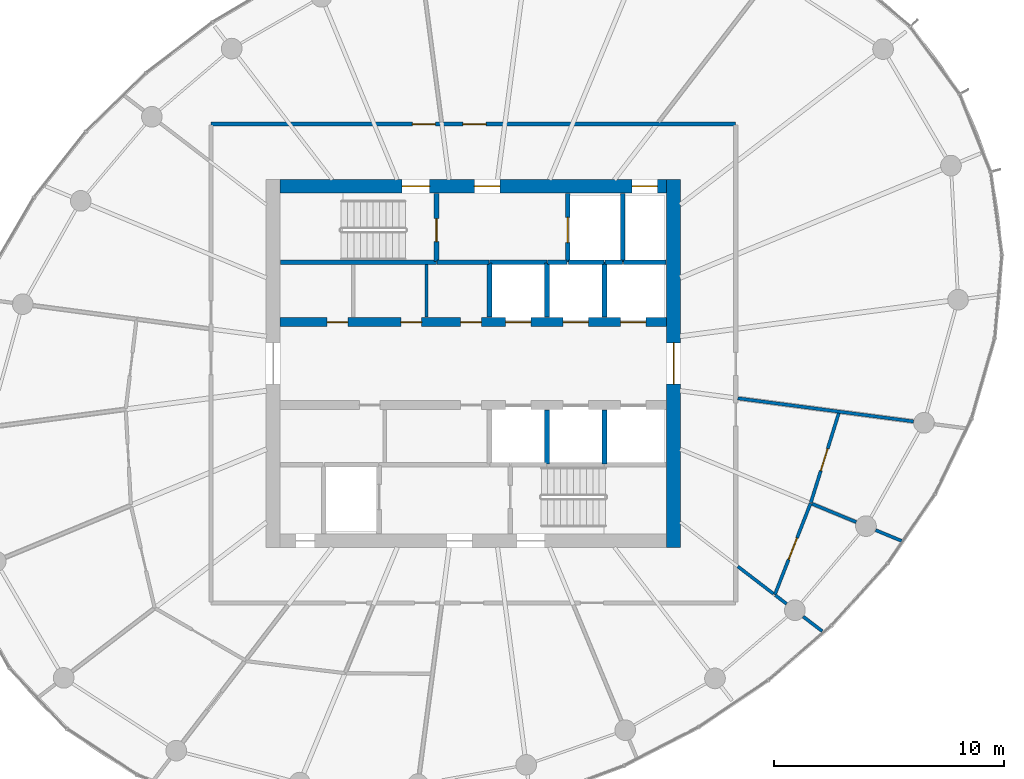
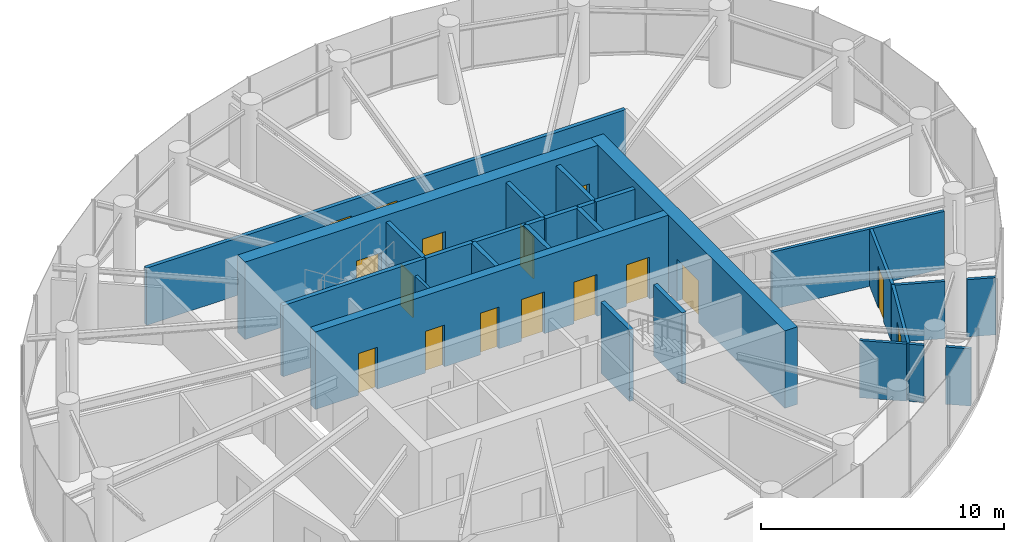
# One storey, part 10 of 13: 28 walls, 16 doors, 16 openings.
"""IFC4 building model written with IfcOpenShell, lengths in metres."""

from ifc_helpers import new_model, si_unit, direction, frame, frame_2d, origin, place, context, subcontext, project, spatial, rectangle, extrude, source, transform, mapped, material, layer, layer_set, type_object, element, fill, save


model = new_model("IFC4")

# Units and contexts
model_context = context("Model", 3, precision=1e-05, world=origin(), true_north=direction((0.0, 1.0)))
body_context = subcontext(model_context, "Body", "Model", "MODEL_VIEW")
ifc_project = project(units=[si_unit("LENGTHUNIT", "METRE"), si_unit("AREAUNIT", "SQUARE_METRE"), si_unit("VOLUMEUNIT", "CUBIC_METRE"), si_unit("PLANEANGLEUNIT", "RADIAN"), si_unit("MASSUNIT", "GRAM", prefix="KILO")], contexts=[model_context])

# Site, building, storey
site_placement = place(None, origin())
site = spatial("IfcSite", under=ifc_project, at=site_placement, CompositionType="ELEMENT")
building_placement = place(site_placement, origin())
building = spatial("IfcBuilding", under=site, at=building_placement, Name="Spindrift Exchange Tower", CompositionType="ELEMENT")
storey_placement = place(building_placement, frame((0.0, 0.0, 218.89990234375)))
storey = spatial("IfcBuildingStorey", under=building, at=storey_placement, Name="L53", CompositionType="ELEMENT", Elevation=218.89990234375)

# Wall, opening, door
ifc_material_1 = material(Name="Concrete 50 MPa", Category="concrete")
ifc_layer_1 = layer(ifc_material_1, 0.60009765625)
ifc_layer_set_1 = layer_set([ifc_layer_1], Name="RC Core Wall 600 Concrete 50 MPa")
wall_type_1 = type_object("IfcWallType", Name="RC Core Wall 600 Concrete 50 MPa", PredefinedType="SHEAR", material=ifc_layer_set_1)
wall_1_placement = place(storey_placement, frame((60.699951171875, 40.0, 0.0), z_axis=(0.0, 0.0, 1.0), x_axis=(0.0, 1.0, 0.0)))
wall_1 = element("IfcWall", 1, at=wall_1_placement, inside=storey, type_object=wall_type_1, Name="Core wall E L53", PredefinedType="SHEAR", context=body_context, shape_type="SweptSolid", body=[
    extrude(rectangle(XDim=16.0, YDim=0.60009765625, at=frame_2d((8.0, 0.0))), origin(), (0.0, 0.0, 1.0), 3.900146484375),
])
opening_1_placement = place(wall_1_placement, frame((7.10009765625, 0.0, 0.0)))
opening_1 = element("IfcOpeningElement", 2, at=opening_1_placement, cuts=wall_1, Name="Opening L53-D2", PredefinedType="OPENING", context=body_context, shape_type="SweptSolid", body=[
    extrude(rectangle(XDim=1.800048828125, YDim=2.10009765625, at=frame_2d((0.89990234375, 1.050048828125))), frame((0.0, 0.31005859375, 0.0), z_axis=(0.0, -1.0, 0.0), x_axis=(1.0, 0.0, 0.0)), (0.0, 0.0, 1.0), 0.6201171875),
])
ifc_material_2 = material(Name="Timber-core fire door", Category="wood")
door_type_1 = type_object("IfcDoorType", Name="DR-LOBBY-1800", OperationType="NOTDEFINED", PredefinedType="DOOR", material=ifc_material_2)
shared_shape_1 = source(origin(), body_context, "Body", "SweptSolid", [
    extrude(rectangle(XDim=1.800048828125, YDim=2.10009765625, at=frame_2d((0.89990234375, 1.050048828125))), frame((0.0, 0.02490234375, 0.0), z_axis=(0.0, -1.0, 0.0), x_axis=(1.0, 0.0, 0.0)), (0.0, 0.0, 1.0), 0.050048828125),
])
door_1_placement = place(opening_1_placement, origin())
door_1 = element("IfcDoor", 3, at=door_1_placement, inside=storey, type_object=door_type_1, Name="L53 Lobby door 2", OperationType="SINGLE_SWING_RIGHT", OverallHeight=2.10009765625, OverallWidth=1.800048828125, PredefinedType="DOOR", context=body_context, shape_type="MappedRepresentation", body=[
    mapped(shared_shape_1, transform((0.0, 0.0, 0.0), scale=1.0)),
])
fill(opening_1, door_1)

# Wall, openings, doors
wall_2_placement = place(storey_placement, frame((60.39990234375, 55.699951171875, 0.0), z_axis=(0.0, 0.0, 1.0), x_axis=(-1.0, 0.0, 0.0)))
wall_2 = element("IfcWall", 4, at=wall_2_placement, inside=storey, type_object=wall_type_1, Name="Core wall N L53", PredefinedType="SHEAR", context=body_context, shape_type="SweptSolid", body=[
    extrude(rectangle(XDim=16.7998046875, YDim=0.60009765625, at=frame_2d((8.39990234375, 0.0))), origin(), (0.0, 0.0, 1.0), 3.900146484375),
])
opening_2_placement = place(wall_2_placement, frame((0.39990234375, 0.0, 0.0)))
opening_2 = element("IfcOpeningElement", 5, at=opening_2_placement, cuts=wall_2, Name="Opening L53-D11", PredefinedType="OPENING", context=body_context, shape_type="SweptSolid", body=[
    extrude(rectangle(XDim=1.10009765625, YDim=2.10009765625, at=frame_2d((0.550048828125, 1.050048828125))), frame((0.0, 0.31005859375, 0.0), z_axis=(0.0, -1.0, 0.0), x_axis=(1.0, 0.0, 0.0)), (0.0, 0.0, 1.0), 0.6201171875),
])
opening_3_placement = place(wall_2_placement, frame((10.300048828125, 0.0, 0.0)))
opening_3 = element("IfcOpeningElement", 6, at=opening_3_placement, cuts=wall_2, Name="Opening L53-D12", PredefinedType="OPENING", context=body_context, shape_type="SweptSolid", body=[
    extrude(rectangle(XDim=1.199951171875, YDim=2.10009765625, at=frame_2d((0.60009765625, 1.050048828125))), frame((0.0, 0.31005859375, 0.0), z_axis=(0.0, -1.0, 0.0), x_axis=(1.0, 0.0, 0.0)), (0.0, 0.0, 1.0), 0.6201171875),
])
opening_4_placement = place(wall_2_placement, frame((7.25, 0.0, 0.0)))
opening_4 = element("IfcOpeningElement", 7, at=opening_4_placement, cuts=wall_2, Name="Opening L53-D14", PredefinedType="OPENING", context=body_context, shape_type="SweptSolid", body=[
    extrude(rectangle(XDim=1.10009765625, YDim=2.10009765625, at=frame_2d((0.550048828125, 1.050048828125))), frame((0.0, 0.31005859375, 0.0), z_axis=(0.0, -1.0, 0.0), x_axis=(1.0, 0.0, 0.0)), (0.0, 0.0, 1.0), 0.6201171875),
])
ifc_material_3 = material(Name="Stainless steel landing door", Category="steel")
door_type_2 = type_object("IfcDoorType", Name="DR-LANDING-1100-SL", OperationType="DOUBLE_DOOR_SLIDING", PredefinedType="USERDEFINED", material=ifc_material_3)
shared_shape_2 = source(origin(), body_context, "Body", "SweptSolid", [
    extrude(rectangle(XDim=1.10009765625, YDim=2.10009765625, at=frame_2d((0.550048828125, 1.050048828125))), frame((0.0, 0.02490234375, 0.0), z_axis=(0.0, -1.0, 0.0), x_axis=(1.0, 0.0, 0.0)), (0.0, 0.0, 1.0), 0.050048828125),
])
door_2_placement = place(opening_2_placement, origin())
door_2 = element("IfcDoor", 8, at=door_2_placement, inside=storey, type_object=door_type_2, Name="L53 Lift landing door 11", ObjectType="LANDING DOOR", OperationType="DOUBLE_DOOR_SLIDING", OverallHeight=2.10009765625, OverallWidth=1.10009765625, PredefinedType="USERDEFINED", context=body_context, shape_type="MappedRepresentation", body=[
    mapped(shared_shape_2, transform((0.0, 0.0, 0.0), scale=1.0)),
])
fill(opening_2, door_2)
ifc_material_4 = material(Name="Steel fire door", Category="steel")
door_type_3 = type_object("IfcDoorType", Name="DR-STAIR-1200", OperationType="NOTDEFINED", PredefinedType="DOOR", material=ifc_material_4)
shared_shape_3 = source(origin(), body_context, "Body", "SweptSolid", [
    extrude(rectangle(XDim=1.199951171875, YDim=2.10009765625, at=frame_2d((0.60009765625, 1.050048828125))), frame((0.0, 0.02490234375, 0.0), z_axis=(0.0, -1.0, 0.0), x_axis=(1.0, 0.0, 0.0)), (0.0, 0.0, 1.0), 0.050048828125),
])
door_3_placement = place(opening_3_placement, origin())
door_3 = element("IfcDoor", 9, at=door_3_placement, inside=storey, type_object=door_type_3, Name="L53 Stair door 12", OperationType="SINGLE_SWING_LEFT", OverallHeight=2.10009765625, OverallWidth=1.199951171875, PredefinedType="DOOR", context=body_context, shape_type="MappedRepresentation", body=[
    mapped(shared_shape_3, transform((0.0, 0.0, 0.0), scale=1.0)),
])
fill(opening_3, door_3)
door_type_4 = type_object("IfcDoorType", Name="DR-LOBBY-1100", OperationType="NOTDEFINED", PredefinedType="DOOR", material=ifc_material_2)
shared_shape_4 = source(origin(), body_context, "Body", "SweptSolid", [
    extrude(rectangle(XDim=1.10009765625, YDim=2.10009765625, at=frame_2d((0.550048828125, 1.050048828125))), frame((0.0, 0.02490234375, 0.0), z_axis=(0.0, -1.0, 0.0), x_axis=(1.0, 0.0, 0.0)), (0.0, 0.0, 1.0), 0.050048828125),
])
door_4_placement = place(opening_4_placement, origin())
door_4 = element("IfcDoor", 10, at=door_4_placement, inside=storey, type_object=door_type_4, Name="L53 Lobby door 14", OperationType="SINGLE_SWING_LEFT", OverallHeight=2.10009765625, OverallWidth=1.10009765625, PredefinedType="DOOR", context=body_context, shape_type="MappedRepresentation", body=[
    mapped(shared_shape_4, transform((0.0, 0.0, 0.0), scale=1.0)),
])
fill(opening_4, door_4)

ifc_layer_2 = layer(ifc_material_1, 0.39990234375)
ifc_layer_set_2 = layer_set([ifc_layer_2], Name="RC Spine Wall 400 Concrete 50 MPa")
wall_type_2 = type_object("IfcWallType", Name="RC Spine Wall 400 Concrete 50 MPa", PredefinedType="SHEAR", material=ifc_layer_set_2)
wall_3_placement = place(storey_placement, frame((43.60009765625, 49.800048828125, 0.0), z_axis=(0.0, 0.0, 1.0), x_axis=(1.0, 0.0, 0.0)))
wall_3 = element("IfcWall", 11, at=wall_3_placement, inside=storey, type_object=wall_type_2, Name="Core spine wall N L53", PredefinedType="SHEAR", context=body_context, shape_type="SweptSolid", body=[
    extrude(rectangle(XDim=16.7998046875, YDim=0.39990234375, at=frame_2d((8.39990234375, 0.0))), origin(), (0.0, 0.0, 1.0), 3.900146484375),
])
opening_5_placement = place(wall_3_placement, frame((9.800048828125, 0.0, 0.0)))
opening_5 = element("IfcOpeningElement", 12, at=opening_5_placement, cuts=wall_3, Name="Opening L53-D3", PredefinedType="OPENING", context=body_context, shape_type="SweptSolid", body=[
    extrude(rectangle(XDim=1.10009765625, YDim=2.10009765625, at=frame_2d((0.550048828125, 1.050048828125))), frame((0.0, 0.2099609375, 0.0), z_axis=(0.0, -1.0, 0.0), x_axis=(1.0, 0.0, 0.0)), (0.0, 0.0, 1.0), 0.419921875),
])
opening_6_placement = place(wall_3_placement, frame((12.300048828125, 0.0, 0.0)))
opening_6 = element("IfcOpeningElement", 13, at=opening_6_placement, cuts=wall_3, Name="Opening L53-D4", PredefinedType="OPENING", context=body_context, shape_type="SweptSolid", body=[
    extrude(rectangle(XDim=1.10009765625, YDim=2.10009765625, at=frame_2d((0.550048828125, 1.050048828125))), frame((0.0, 0.2099609375, 0.0), z_axis=(0.0, -1.0, 0.0), x_axis=(1.0, 0.0, 0.0)), (0.0, 0.0, 1.0), 0.419921875),
])
opening_7_placement = place(wall_3_placement, frame((14.800048828125, 0.0, 0.0)))
opening_7 = element("IfcOpeningElement", 14, at=opening_7_placement, cuts=wall_3, Name="Opening L53-D5", PredefinedType="OPENING", context=body_context, shape_type="SweptSolid", body=[
    extrude(rectangle(XDim=1.10009765625, YDim=2.10009765625, at=frame_2d((0.550048828125, 1.050048828125))), frame((0.0, 0.2099609375, 0.0), z_axis=(0.0, -1.0, 0.0), x_axis=(1.0, 0.0, 0.0)), (0.0, 0.0, 1.0), 0.419921875),
])
opening_8_placement = place(wall_3_placement, frame((2.050048828125, 0.0, 0.0)))
opening_8 = element("IfcOpeningElement", 15, at=opening_8_placement, cuts=wall_3, Name="Opening L53-D36", PredefinedType="OPENING", context=body_context, shape_type="SweptSolid", body=[
    extrude(rectangle(XDim=0.89990234375, YDim=2.10009765625, at=frame_2d((0.449951171875, 1.050048828125))), frame((0.0, 0.2099609375, 0.0), z_axis=(0.0, -1.0, 0.0), x_axis=(1.0, 0.0, 0.0)), (0.0, 0.0, 1.0), 0.419921875),
])
opening_9_placement = place(wall_3_placement, frame((5.25, 0.0, 0.0)))
opening_9 = element("IfcOpeningElement", 16, at=opening_9_placement, cuts=wall_3, Name="Opening L53-D37", PredefinedType="OPENING", context=body_context, shape_type="SweptSolid", body=[
    extrude(rectangle(XDim=0.89990234375, YDim=2.10009765625, at=frame_2d((0.449951171875, 1.050048828125))), frame((0.0, 0.2099609375, 0.0), z_axis=(0.0, -1.0, 0.0), x_axis=(1.0, 0.0, 0.0)), (0.0, 0.0, 1.0), 0.419921875),
])
opening_10_placement = place(wall_3_placement, frame((7.85009765625, 0.0, 0.0)))
opening_10 = element("IfcOpeningElement", 17, at=opening_10_placement, cuts=wall_3, Name="Opening L53-D38", PredefinedType="OPENING", context=body_context, shape_type="SweptSolid", body=[
    extrude(rectangle(XDim=0.89990234375, YDim=2.10009765625, at=frame_2d((0.449951171875, 1.050048828125))), frame((0.0, 0.2099609375, 0.0), z_axis=(0.0, -1.0, 0.0), x_axis=(1.0, 0.0, 0.0)), (0.0, 0.0, 1.0), 0.419921875),
])
door_5_placement = place(opening_5_placement, origin())
door_5 = element("IfcDoor", 18, at=door_5_placement, inside=storey, type_object=door_type_2, Name="L53 Lift landing door 3", ObjectType="LANDING DOOR", OperationType="DOUBLE_DOOR_SLIDING", OverallHeight=2.10009765625, OverallWidth=1.10009765625, PredefinedType="USERDEFINED", context=body_context, shape_type="MappedRepresentation", body=[
    mapped(shared_shape_2, transform((0.0, 0.0, 0.0), scale=1.0)),
])
fill(opening_5, door_5)
door_6_placement = place(opening_6_placement, origin())
door_6 = element("IfcDoor", 19, at=door_6_placement, inside=storey, type_object=door_type_2, Name="L53 Lift landing door 4", ObjectType="LANDING DOOR", OperationType="DOUBLE_DOOR_SLIDING", OverallHeight=2.10009765625, OverallWidth=1.10009765625, PredefinedType="USERDEFINED", context=body_context, shape_type="MappedRepresentation", body=[
    mapped(shared_shape_2, transform((0.0, 0.0, 0.0), scale=1.0)),
])
fill(opening_6, door_6)
door_7_placement = place(opening_7_placement, origin())
door_7 = element("IfcDoor", 20, at=door_7_placement, inside=storey, type_object=door_type_2, Name="L53 Lift landing door 5", ObjectType="LANDING DOOR", OperationType="DOUBLE_DOOR_SLIDING", OverallHeight=2.10009765625, OverallWidth=1.10009765625, PredefinedType="USERDEFINED", context=body_context, shape_type="MappedRepresentation", body=[
    mapped(shared_shape_2, transform((0.0, 0.0, 0.0), scale=1.0)),
])
fill(opening_7, door_7)
ifc_material_5 = material(Name="Steel access door", Category="steel")
door_type_5 = type_object("IfcDoorType", Name="DR-RISER-900", OperationType="NOTDEFINED", PredefinedType="DOOR", material=ifc_material_5)
shared_shape_5 = source(origin(), body_context, "Body", "SweptSolid", [
    extrude(rectangle(XDim=0.89990234375, YDim=2.10009765625, at=frame_2d((0.449951171875, 1.050048828125))), frame((0.0, 0.02490234375, 0.0), z_axis=(0.0, -1.0, 0.0), x_axis=(1.0, 0.0, 0.0)), (0.0, 0.0, 1.0), 0.050048828125),
])
door_8_placement = place(opening_8_placement, origin())
door_8 = element("IfcDoor", 21, at=door_8_placement, inside=storey, type_object=door_type_5, Name="L53 Riser door 36", OperationType="SINGLE_SWING_LEFT", OverallHeight=2.10009765625, OverallWidth=0.89990234375, PredefinedType="DOOR", context=body_context, shape_type="MappedRepresentation", body=[
    mapped(shared_shape_5, transform((0.0, 0.0, 0.0), scale=1.0)),
])
fill(opening_8, door_8)
door_9_placement = place(opening_9_placement, origin())
door_9 = element("IfcDoor", 22, at=door_9_placement, inside=storey, type_object=door_type_5, Name="L53 Riser door 37", OperationType="SINGLE_SWING_RIGHT", OverallHeight=2.10009765625, OverallWidth=0.89990234375, PredefinedType="DOOR", context=body_context, shape_type="MappedRepresentation", body=[
    mapped(shared_shape_5, transform((0.0, 0.0, 0.0), scale=1.0)),
])
fill(opening_9, door_9)
door_10_placement = place(opening_10_placement, origin())
door_10 = element("IfcDoor", 23, at=door_10_placement, inside=storey, type_object=door_type_5, Name="L53 Riser door 38", OperationType="SINGLE_SWING_LEFT", OverallHeight=2.10009765625, OverallWidth=0.89990234375, PredefinedType="DOOR", context=body_context, shape_type="MappedRepresentation", body=[
    mapped(shared_shape_5, transform((0.0, 0.0, 0.0), scale=1.0)),
])
fill(opening_10, door_10)

ifc_material_6 = material(Name="Fire-rated plasterboard partition", Category="gypsum")
ifc_layer_3 = layer(ifc_material_6, 0.179931640625)
ifc_layer_set_3 = layer_set([ifc_layer_3], Name="W-CORR-180")
wall_type_3 = type_object("IfcWallType", Name="W-CORR-180", PredefinedType="PARTITIONING", material=ifc_layer_set_3)
wall_4_placement = place(storey_placement, frame((40.60009765625, 58.39990234375, 0.0), z_axis=(0.0, 0.0, 1.0), x_axis=(1.0, 0.0, 0.0)))
wall_4 = element("IfcWall", 24, at=wall_4_placement, inside=storey, type_object=wall_type_3, Name="L53 Partition wall 27", PredefinedType="PARTITIONING", context=body_context, shape_type="SweptSolid", body=[
    extrude(rectangle(XDim=22.7998046875, YDim=0.179931640625, at=frame_2d((11.39990234375, 0.0))), origin(), (0.0, 0.0, 1.0), 2.880126953125),
])
opening_11_placement = place(wall_4_placement, frame((10.949951171875, 0.0, 0.0)))
opening_11 = element("IfcOpeningElement", 25, at=opening_11_placement, cuts=wall_4, Name="Opening L53-D28", PredefinedType="OPENING", context=body_context, shape_type="SweptSolid", body=[
    extrude(rectangle(XDim=1.0, YDim=2.10009765625, at=frame_2d((0.5, 1.050048828125))), frame((0.0, 0.099853515625, 0.0), z_axis=(0.0, -1.0, 0.0), x_axis=(1.0, 0.0, 0.0)), (0.0, 0.0, 1.0), 0.199951171875),
])
opening_12_placement = place(wall_4_placement, frame((8.75, 0.0, 0.0)))
opening_12 = element("IfcOpeningElement", 26, at=opening_12_placement, cuts=wall_4, Name="Opening L53-D29", PredefinedType="OPENING", context=body_context, shape_type="SweptSolid", body=[
    extrude(rectangle(XDim=1.0, YDim=2.10009765625, at=frame_2d((0.5, 1.050048828125))), frame((0.0, 0.099853515625, 0.0), z_axis=(0.0, -1.0, 0.0), x_axis=(1.0, 0.0, 0.0)), (0.0, 0.0, 1.0), 0.199951171875),
])
door_type_6 = type_object("IfcDoorType", Name="DR-ROOM-1000", OperationType="NOTDEFINED", PredefinedType="DOOR", material=ifc_material_2)
shared_shape_6 = source(origin(), body_context, "Body", "SweptSolid", [
    extrude(rectangle(XDim=1.0, YDim=2.10009765625, at=frame_2d((0.5, 1.050048828125))), frame((0.0, 0.02490234375, 0.0), z_axis=(0.0, -1.0, 0.0), x_axis=(1.0, 0.0, 0.0)), (0.0, 0.0, 1.0), 0.050048828125),
])
door_11_placement = place(opening_11_placement, origin())
door_11 = element("IfcDoor", 27, at=door_11_placement, inside=storey, type_object=door_type_6, Name="L53 Door 28", OperationType="SINGLE_SWING_LEFT", OverallHeight=2.10009765625, OverallWidth=1.0, PredefinedType="DOOR", context=body_context, shape_type="MappedRepresentation", body=[
    mapped(shared_shape_6, transform((0.0, 0.0, 0.0), scale=1.0)),
])
fill(opening_11, door_11)
door_12_placement = place(opening_12_placement, origin())
door_12 = element("IfcDoor", 28, at=door_12_placement, inside=storey, type_object=door_type_6, Name="L53 Door 29", OperationType="SINGLE_SWING_RIGHT", OverallHeight=2.10009765625, OverallWidth=1.0, PredefinedType="DOOR", context=body_context, shape_type="MappedRepresentation", body=[
    mapped(shared_shape_6, transform((0.0, 0.0, 0.0), scale=1.0)),
])
fill(opening_12, door_12)

# Wall
ifc_layer_4 = layer(ifc_material_6, 0.139892578125)
ifc_layer_set_4 = layer_set([ifc_layer_4], Name="W-PART-140")
wall_type_4 = type_object("IfcWallType", Name="W-PART-140", PredefinedType="PARTITIONING", material=ifc_layer_set_4)
wall_5_placement = place(storey_placement, frame((71.13037109375, 45.4814453125, 0.0), z_axis=(0.0, 0.0, 1.0), x_axis=(-0.991445127496, 0.130524170803, 0.0)))
element("IfcWall", 29, at=wall_5_placement, inside=storey, type_object=wall_type_4, Name="L53 Partition wall 31", PredefinedType="PARTITIONING", context=body_context, shape_type="SweptSolid", body=[
    extrude(rectangle(XDim=7.706298828125, YDim=0.139892578125, at=frame_2d((3.85302734375, 0.0))), origin(), (0.0, 0.0, 1.0), 2.880126953125),
])

# Wall, opening, door
wall_6_placement = place(storey_placement, frame((66.655517578125, 41.929443359375, 0.0), z_axis=(0.0, 0.0, 1.0), x_axis=(-0.364603977748, -0.931162681496, 0.0)))
wall_6 = element("IfcWall", 30, at=wall_6_placement, inside=storey, type_object=wall_type_4, Name="L53 Partition wall 44", PredefinedType="PARTITIONING", context=body_context, shape_type="SweptSolid", body=[
    extrude(rectangle(XDim=4.2734375, YDim=0.139892578125, at=frame_2d((2.13671875, 0.0))), origin(), (0.0, 0.0, 1.0), 2.880126953125),
])
opening_13_placement = place(wall_6_placement, frame((1.62353515625, 0.0, 0.0)))
opening_13 = element("IfcOpeningElement", 31, at=opening_13_placement, cuts=wall_6, Name="Opening L53-D25", PredefinedType="OPENING", context=body_context, shape_type="SweptSolid", body=[
    extrude(rectangle(XDim=1.0, YDim=2.10009765625, at=frame_2d((0.5, 1.050048828125))), frame((0.0, 0.079833984375, 0.0), z_axis=(0.0, -1.0, 0.0), x_axis=(1.0, 0.0, 0.0)), (0.0, 0.0, 1.0), 0.159912109375),
])
door_13_placement = place(opening_13_placement, origin())
door_13 = element("IfcDoor", 32, at=door_13_placement, inside=storey, type_object=door_type_6, Name="L53 Door 25", OperationType="SINGLE_SWING_RIGHT", OverallHeight=2.10009765625, OverallWidth=1.0, PredefinedType="DOOR", context=body_context, shape_type="MappedRepresentation", body=[
    mapped(shared_shape_6, transform((0.0, 0.0, 0.0), scale=1.0)),
])
fill(opening_13, door_13)

wall_7_placement = place(storey_placement, frame((67.876953125, 45.839111328125, 0.0), z_axis=(0.0, 0.0, 1.0), x_axis=(-0.298230548624, -0.954493865809, 0.0)))
wall_7 = element("IfcWall", 33, at=wall_7_placement, inside=storey, type_object=wall_type_4, Name="L53 Partition wall 46", PredefinedType="PARTITIONING", context=body_context, shape_type="SweptSolid", body=[
    extrude(rectangle(XDim=4.066162109375, YDim=0.139892578125, at=frame_2d((2.033203125, 0.0))), origin(), (0.0, 0.0, 1.0), 2.880126953125),
])
opening_14_placement = place(wall_7_placement, frame((1.615966796875, 0.0, 0.0)))
opening_14 = element("IfcOpeningElement", 34, at=opening_14_placement, cuts=wall_7, Name="Opening L53-D26", PredefinedType="OPENING", context=body_context, shape_type="SweptSolid", body=[
    extrude(rectangle(XDim=1.0, YDim=2.10009765625, at=frame_2d((0.5, 1.050048828125))), frame((0.0, 0.079833984375, 0.0), z_axis=(0.0, -1.0, 0.0), x_axis=(1.0, 0.0, 0.0)), (0.0, 0.0, 1.0), 0.159912109375),
])
door_14_placement = place(opening_14_placement, origin())
door_14 = element("IfcDoor", 35, at=door_14_placement, inside=storey, type_object=door_type_6, Name="L53 Door 26", OperationType="SINGLE_SWING_LEFT", OverallHeight=2.10009765625, OverallWidth=1.0, PredefinedType="DOOR", context=body_context, shape_type="MappedRepresentation", body=[
    mapped(shared_shape_6, transform((0.0, 0.0, 0.0), scale=1.0)),
])
fill(opening_14, door_14)

# Walls
wall_8_placement = place(storey_placement, frame((65.12109375, 37.931884765625, 0.0), z_axis=(0.0, 0.0, 1.0), x_axis=(0.793300433337, -0.608830372491, 0.0)))
element("IfcWall", 36, at=wall_8_placement, inside=storey, type_object=wall_type_4, Name="L53 Partition wall 51", PredefinedType="PARTITIONING", context=body_context, shape_type="SweptSolid", body=[
    extrude(rectangle(XDim=0.61669921875, YDim=0.139892578125, at=frame_2d((0.308349609375, 0.0))), origin(), (0.0, 0.0, 1.0), 2.880126953125),
])
wall_9_placement = place(storey_placement, frame((63.489990234375, 39.183349609375, 0.0), z_axis=(0.0, 0.0, 1.0), x_axis=(0.793366886625, -0.608743774676, 0.0)))
element("IfcWall", 37, at=wall_9_placement, inside=storey, type_object=wall_type_4, Name="L53 Partition wall 52", PredefinedType="PARTITIONING", context=body_context, shape_type="SweptSolid", body=[
    extrude(rectangle(XDim=1.953125, YDim=0.139892578125, at=frame_2d((0.9765625, 0.0))), origin(), (0.0, 0.0, 1.0), 2.880126953125),
])
wall_10_placement = place(storey_placement, frame((49.969970703125, 50.010009765625, 0.0), z_axis=(0.0, 0.0, 1.0), x_axis=(0.0, 1.0, 0.0)))
element("IfcWall", 38, at=wall_10_placement, inside=storey, type_object=wall_type_4, Name="L53 Partition wall 56", PredefinedType="PARTITIONING", context=body_context, shape_type="SweptSolid", body=[
    extrude(rectangle(XDim=2.2900390625, YDim=0.139892578125, at=frame_2d((1.14501953125, 0.0))), origin(), (0.0, 0.0, 1.0), 2.880126953125),
])
wall_11_placement = place(storey_placement, frame((66.72021484375, 41.902587890625, 0.0), z_axis=(0.0, 0.0, 1.0), x_axis=(0.923892183292, -0.38265288925, 0.0)))
element("IfcWall", 39, at=wall_11_placement, inside=storey, type_object=wall_type_4, Name="L53 Partition wall 57", PredefinedType="PARTITIONING", context=body_context, shape_type="SweptSolid", body=[
    extrude(rectangle(XDim=2.07666015625, YDim=0.139892578125, at=frame_2d((1.038330078125, 0.0))), origin(), (0.0, 0.0, 1.0), 2.880126953125),
])
wall_12_placement = place(storey_placement, frame((69.479736328125, 40.759521484375, 0.0), z_axis=(0.0, 0.0, 1.0), x_axis=(0.923929420808, -0.382562969151, 0.0)))
element("IfcWall", 40, at=wall_12_placement, inside=storey, type_object=wall_type_4, Name="L53 Partition wall 61", PredefinedType="PARTITIONING", context=body_context, shape_type="SweptSolid", body=[
    extrude(rectangle(XDim=1.225341796875, YDim=0.139892578125, at=frame_2d((0.61279296875, 0.0))), origin(), (0.0, 0.0, 1.0), 2.880126953125),
])
wall_13_placement = place(storey_placement, frame((67.16015625, 36.3671875, 0.0), z_axis=(0.0, 0.0, 1.0), x_axis=(-0.793388088797, 0.608716141198, 0.0)))
element("IfcWall", 41, at=wall_13_placement, inside=storey, type_object=wall_type_4, Name="L53 Partition wall 65", PredefinedType="PARTITIONING", context=body_context, shape_type="SweptSolid", body=[
    extrude(rectangle(XDim=1.04443359375, YDim=0.139892578125, at=frame_2d((0.522216796875, 0.0))), origin(), (0.0, 0.0, 1.0), 2.880126953125),
])

# Wall, opening, door
ifc_material_7 = material(Name="Concrete 40 MPa", Category="concrete")
ifc_layer_5 = layer(ifc_material_7, 0.199951171875)
ifc_layer_set_5 = layer_set([ifc_layer_5], Name="W-SHAFT-200")
wall_type_5 = type_object("IfcWallType", Name="W-SHAFT-200", PredefinedType="SOLIDWALL", material=ifc_layer_set_5)
wall_14_placement = place(storey_placement, frame((56.10009765625, 55.3798828125, 0.0), z_axis=(0.0, 0.0, 1.0), x_axis=(0.0, -1.0, 0.0)))
wall_14 = element("IfcWall", 42, at=wall_14_placement, inside=storey, type_object=wall_type_5, Name="L53 Shaft wall 7", PredefinedType="SOLIDWALL", context=body_context, shape_type="SweptSolid", body=[
    extrude(rectangle(XDim=2.97998046875, YDim=0.199951171875, at=frame_2d((1.489990234375, 0.0))), origin(), (0.0, 0.0, 1.0), 3.580078125),
])
opening_15_placement = place(wall_14_placement, frame((1.030029296875, 0.0, 0.0)))
opening_15 = element("IfcOpeningElement", 43, at=opening_15_placement, cuts=wall_14, Name="Opening L53-D9", PredefinedType="OPENING", context=body_context, shape_type="SweptSolid", body=[
    extrude(rectangle(XDim=1.10009765625, YDim=2.10009765625, at=frame_2d((0.550048828125, 1.050048828125))), frame((0.0, 0.10986328125, 0.0), z_axis=(0.0, -1.0, 0.0), x_axis=(1.0, 0.0, 0.0)), (0.0, 0.0, 1.0), 0.219970703125),
])
door_15_placement = place(opening_15_placement, origin())
door_15 = element("IfcDoor", 44, at=door_15_placement, inside=storey, type_object=door_type_2, Name="L53 Lift landing door 9", ObjectType="LANDING DOOR", OperationType="DOUBLE_DOOR_SLIDING", OverallHeight=2.10009765625, OverallWidth=1.10009765625, PredefinedType="USERDEFINED", context=body_context, shape_type="MappedRepresentation", body=[
    mapped(shared_shape_2, transform((0.0, 0.0, 0.0), scale=1.0)),
])
fill(opening_15, door_15)

# Walls
wall_15_placement = place(storey_placement, frame((58.5, 52.39990234375, 0.0), z_axis=(0.0, 0.0, 1.0), x_axis=(0.0, 1.0, 0.0)))
element("IfcWall", 45, at=wall_15_placement, inside=storey, type_object=wall_type_5, Name="L53 Shaft wall 8", PredefinedType="SOLIDWALL", context=body_context, shape_type="SweptSolid", body=[
    extrude(rectangle(XDim=2.97998046875, YDim=0.199951171875, at=frame_2d((1.489990234375, 0.0))), origin(), (0.0, 0.0, 1.0), 3.580078125),
])
wall_16_placement = place(storey_placement, frame((55.199951171875, 52.39990234375, 0.0), z_axis=(0.0, 0.0, 1.0), x_axis=(-1.0, 0.0, 0.0)))
element("IfcWall", 46, at=wall_16_placement, inside=storey, type_object=wall_type_5, Name="L53 Shaft wall 10", PredefinedType="SOLIDWALL", context=body_context, shape_type="SweptSolid", body=[
    extrude(rectangle(XDim=2.5, YDim=0.199951171875, at=frame_2d((1.25, 0.0))), origin(), (0.0, 0.0, 1.0), 3.580078125),
])
for number, where, z_axis, x_axis, name in (
    (47, (52.699951171875, 52.3701171875, 0.0), (0.0, 0.0, 1.0), (0.0, -1.0, 0.0), "L53 Shaft wall 14"),
    (48, (55.199951171875, 50.010009765625, 0.0), (0.0, 0.0, 1.0), (0.0, 1.0, 0.0), "L53 Shaft wall 16"),
):
    element("IfcWall", number, at=place(storey_placement, frame(where, z_axis=z_axis, x_axis=x_axis)), inside=storey, type_object=wall_type_5, Name=name, PredefinedType="SOLIDWALL", context=body_context, shape_type="SweptSolid", body=[
        extrude(rectangle(XDim=2.360107421875, YDim=0.199951171875, at=frame_2d((1.18017578125, 0.0))), origin(), (0.0, 0.0, 1.0), 3.580078125),
    ])
wall_17_placement = place(storey_placement, frame((57.699951171875, 50.010009765625, 0.0), z_axis=(0.0, 0.0, 1.0), x_axis=(0.0, 1.0, 0.0)))
element("IfcWall", 49, at=wall_17_placement, inside=storey, type_object=wall_type_5, Name="L53 Shaft wall 18", PredefinedType="SOLIDWALL", context=body_context, shape_type="SweptSolid", body=[
    extrude(rectangle(XDim=2.389892578125, YDim=0.199951171875, at=frame_2d((1.19482421875, 0.0))), origin(), (0.0, 0.0, 1.0), 3.580078125),
])
wall_18_placement = place(storey_placement, frame((60.3798828125, 52.39990234375, 0.0), z_axis=(0.0, 0.0, 1.0), x_axis=(-1.0, 0.0, 0.0)))
element("IfcWall", 50, at=wall_18_placement, inside=storey, type_object=wall_type_5, Name="L53 Shaft wall 21", PredefinedType="SOLIDWALL", context=body_context, shape_type="SweptSolid", body=[
    extrude(rectangle(XDim=1.849853515625, YDim=0.199951171875, at=frame_2d((0.9248046875, 0.0))), origin(), (0.0, 0.0, 1.0), 3.580078125),
])
wall_19_placement = place(storey_placement, frame((57.669921875, 52.39990234375, 0.0), z_axis=(0.0, 0.0, 1.0), x_axis=(-1.0, 0.0, 0.0)))
element("IfcWall", 51, at=wall_19_placement, inside=storey, type_object=wall_type_5, Name="L53 Shaft wall 23", PredefinedType="SOLIDWALL", context=body_context, shape_type="SweptSolid", body=[
    extrude(rectangle(XDim=1.5400390625, YDim=0.199951171875, at=frame_2d((0.77001953125, 0.0))), origin(), (0.0, 0.0, 1.0), 3.580078125),
])
wall_20_placement = place(storey_placement, frame((56.070068359375, 52.39990234375, 0.0), z_axis=(0.0, 0.0, 1.0), x_axis=(-1.0, 0.0, 0.0)))
element("IfcWall", 52, at=wall_20_placement, inside=storey, type_object=wall_type_5, Name="L53 Shaft wall 25", PredefinedType="SOLIDWALL", context=body_context, shape_type="SweptSolid", body=[
    extrude(rectangle(XDim=0.840087890625, YDim=0.199951171875, at=frame_2d((0.419921875, 0.0))), origin(), (0.0, 0.0, 1.0), 3.580078125),
])
wall_21_placement = place(storey_placement, frame((58.469970703125, 52.39990234375, 0.0), z_axis=(0.0, 0.0, 1.0), x_axis=(-1.0, 0.0, 0.0)))
element("IfcWall", 53, at=wall_21_placement, inside=storey, type_object=wall_type_5, Name="L53 Shaft wall 26", PredefinedType="SOLIDWALL", context=body_context, shape_type="SweptSolid", body=[
    extrude(rectangle(XDim=0.739990234375, YDim=0.199951171875, at=frame_2d((0.3701171875, 0.0))), origin(), (0.0, 0.0, 1.0), 3.580078125),
])
ifc_layer_6 = layer(ifc_material_7, 0.199951171875)
ifc_layer_set_6 = layer_set([ifc_layer_6], Name="W-SHAFT-200-LB")
wall_type_6 = type_object("IfcWallType", Name="W-SHAFT-200-LB", PredefinedType="SOLIDWALL", material=ifc_layer_set_6)
wall_22_placement = place(storey_placement, frame((43.6201171875, 52.39990234375, 0.0), z_axis=(0.0, 0.0, 1.0), x_axis=(1.0, 0.0, 0.0)))
element("IfcWall", 54, at=wall_22_placement, inside=storey, type_object=wall_type_6, Name="L53 Shaft wall 1", PredefinedType="SOLIDWALL", context=body_context, shape_type="SweptSolid", body=[
    extrude(rectangle(XDim=6.77978515625, YDim=0.199951171875, at=frame_2d((3.389892578125, 0.0))), origin(), (0.0, 0.0, 1.0), 3.580078125),
])

# Wall, opening, door
wall_23_placement = place(storey_placement, frame((50.39990234375, 52.429931640625, 0.0), z_axis=(0.0, 0.0, 1.0), x_axis=(0.0, 1.0, 0.0)))
wall_23 = element("IfcWall", 55, at=wall_23_placement, inside=storey, type_object=wall_type_6, Name="L53 Shaft wall 5", PredefinedType="SOLIDWALL", context=body_context, shape_type="SweptSolid", body=[
    extrude(rectangle(XDim=2.949951171875, YDim=0.199951171875, at=frame_2d((1.47509765625, 0.0))), origin(), (0.0, 0.0, 1.0), 3.580078125),
])
opening_16_placement = place(wall_23_placement, frame((0.8701171875, 0.0, 0.0)))
opening_16 = element("IfcOpeningElement", 56, at=opening_16_placement, cuts=wall_23, Name="Opening L53-D13", PredefinedType="OPENING", context=body_context, shape_type="SweptSolid", body=[
    extrude(rectangle(XDim=1.0, YDim=2.10009765625, at=frame_2d((0.5, 1.050048828125))), frame((0.0, 0.10986328125, 0.0), z_axis=(0.0, -1.0, 0.0), x_axis=(1.0, 0.0, 0.0)), (0.0, 0.0, 1.0), 0.219970703125),
])
door_type_7 = type_object("IfcDoorType", Name="DR-STAIR-1000", OperationType="NOTDEFINED", PredefinedType="DOOR", material=ifc_material_4)
shared_shape_7 = source(origin(), body_context, "Body", "SweptSolid", [
    extrude(rectangle(XDim=1.0, YDim=2.10009765625, at=frame_2d((0.5, 1.050048828125))), frame((0.0, 0.02490234375, 0.0), z_axis=(0.0, -1.0, 0.0), x_axis=(1.0, 0.0, 0.0)), (0.0, 0.0, 1.0), 0.050048828125),
])
door_16_placement = place(opening_16_placement, origin())
door_16 = element("IfcDoor", 57, at=door_16_placement, inside=storey, type_object=door_type_7, Name="L53 Stair door 13", OperationType="SINGLE_SWING_RIGHT", OverallHeight=2.10009765625, OverallWidth=1.0, PredefinedType="DOOR", context=body_context, shape_type="MappedRepresentation", body=[
    mapped(shared_shape_7, transform((0.0, 0.0, 0.0), scale=1.0)),
])
fill(opening_16, door_16)

# Walls
for number, where, z_axis, x_axis, name in (
    (58, (55.199951171875, 43.6298828125, 0.0), (0.0, 0.0, 1.0), (0.0, 1.0, 0.0), "L53 Shaft wall 15"),
    (59, (57.699951171875, 43.6298828125, 0.0), (0.0, 0.0, 1.0), (0.0, 1.0, 0.0), "L53 Shaft wall 17"),
):
    element("IfcWall", number, at=place(storey_placement, frame(where, z_axis=z_axis, x_axis=x_axis)), inside=storey, type_object=wall_type_6, Name=name, PredefinedType="SOLIDWALL", context=body_context, shape_type="SweptSolid", body=[
        extrude(rectangle(XDim=2.360107421875, YDim=0.199951171875, at=frame_2d((1.18017578125, 0.0))), origin(), (0.0, 0.0, 1.0), 3.580078125),
    ])
wall_24_placement = place(storey_placement, frame((50.429931640625, 52.39990234375, 0.0), z_axis=(0.0, 0.0, 1.0), x_axis=(1.0, 0.0, 0.0)))
element("IfcWall", 60, at=wall_24_placement, inside=storey, type_object=wall_type_6, Name="L53 Shaft wall 19", PredefinedType="SOLIDWALL", context=body_context, shape_type="SweptSolid", body=[
    extrude(rectangle(XDim=2.239990234375, YDim=0.199951171875, at=frame_2d((1.1201171875, 0.0))), origin(), (0.0, 0.0, 1.0), 3.580078125),
])

save(model, "model.ifc")
